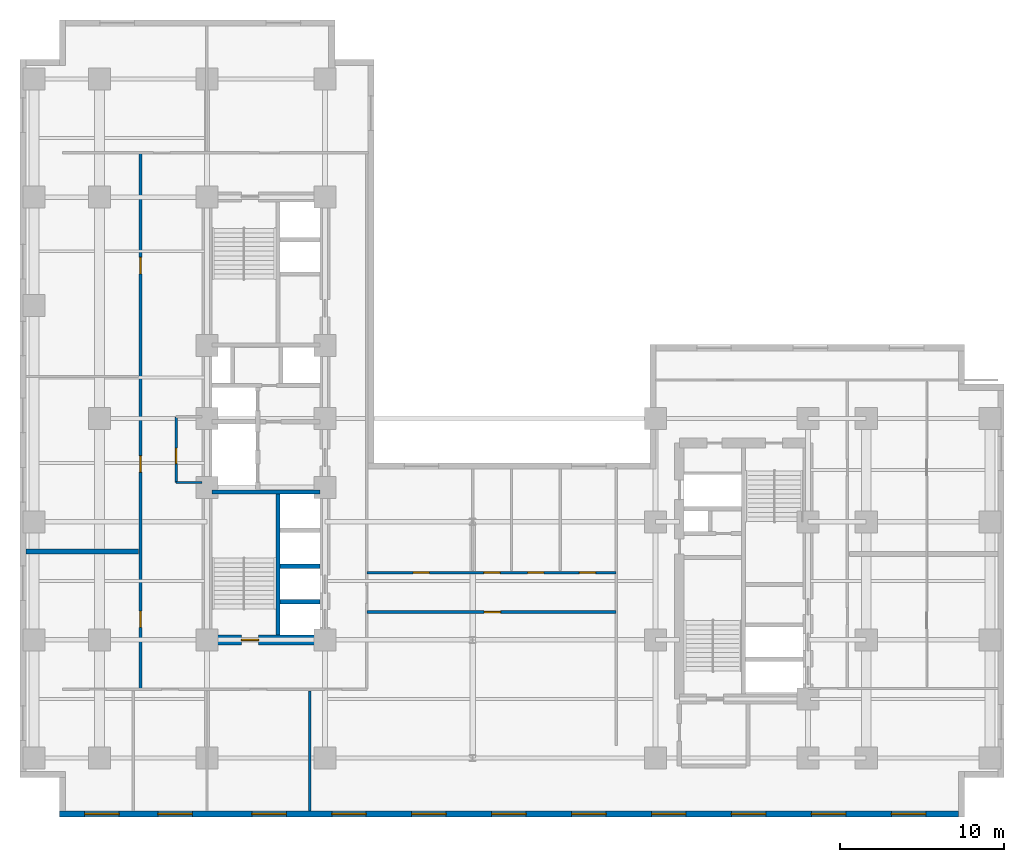
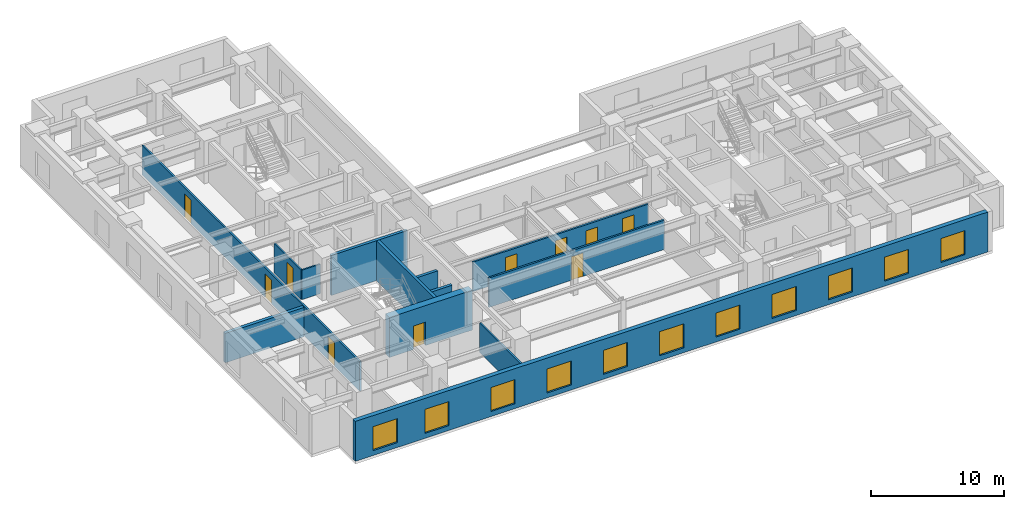
# One storey, part 3 of 9: 13 walls, 11 windows, 10 doors, 21 openings.
"""IFC4 building model written with IfcOpenShell, lengths in metres."""

import ifcopenshell
import ifcopenshell.guid

model = None  # the IFC model being written
_history = None  # IfcOwnerHistory: only IFC2X3 demands one
_inside = {}  # id of a spatial element -> (the spatial element, [elements in it])
_under = {}  # id of a project, library or spatial element -> (it, [spatial elements below it])
_declared = {}  # id of a project -> (the project, [libraries it declares])
_typed = {}  # id of a type object -> (the type object, [elements of that type])
_made_of = {}  # id of a material, layer set ... -> (it, [elements and type objects made of it])


def new_model(schema):
    """Start an empty IFC model of exactly this schema.

    Asked for "IFC4X3", IfcOpenShell would pick the latest addendum, in which some entities
    have other attributes; the version numbers below select the first issue.
    IFC2X3 requires an IfcOwnerHistory on every rooted entity: one is made here for all.
    """
    global model, _history
    if schema == "IFC4X3":
        model = ifcopenshell.file(schema_version=(4, 3, 0, 0))
    else:
        model = ifcopenshell.file(schema=schema)
    _inside.clear()
    _under.clear()
    _declared.clear()
    _typed.clear()
    _made_of.clear()
    _history = None
    if model.schema == "IFC2X3":
        org = make("IfcOrganization", Name="unknown")
        user = make(
            "IfcPersonAndOrganization",
            ThePerson=make("IfcPerson", FamilyName="unknown"),
            TheOrganization=org,
        )
        app = make(
            "IfcApplication",
            ApplicationDeveloper=org,
            Version="unknown",
            ApplicationFullName="unknown",
            ApplicationIdentifier="unknown",
        )
        _history = make(
            "IfcOwnerHistory",
            OwningUser=user,
            OwningApplication=app,
            ChangeAction="ADDED",
            CreationDate=0,
        )
    return model


def make(cls, **values):
    """One entity of the class cls with the attributes given. An attribute that is None is left unset."""
    return model.create_entity(
        cls, **{name: value for name, value in values.items() if value is not None}
    )


def entity(cls, *values):
    """Any entity or typed value of the class cls, its attributes in the order of the schema. None: left unset."""
    e = model.create_entity(cls)
    for i, value in enumerate(values):
        if value is not None:
            e[i] = value
    return e


def rooted(cls, **values):
    """An entity with a GlobalId (a new one), such as an element, a storey or a relation."""
    return make(cls, GlobalId=ifcopenshell.guid.new(), OwnerHistory=_history, **values)


def si_unit(unit_type, name, prefix=None):
    """IfcSIUnit, for example si_unit("LENGTHUNIT", "METRE", prefix="MILLI")."""
    return make("IfcSIUnit", UnitType=unit_type, Prefix=prefix, Name=name)


def converted_unit(unit_type, name, factor, base, dimensions=None, offset=None):
    """IfcConversionBasedUnit, such as the inch: factor (a typed value) times the base unit."""
    return make(
        "IfcConversionBasedUnit"
        if offset is None
        else "IfcConversionBasedUnitWithOffset",
        ConversionOffset=offset,
        Dimensions=None
        if dimensions is None
        else entity("IfcDimensionalExponents", *dimensions),
        UnitType=unit_type,
        Name=name,
        ConversionFactor=make(
            "IfcMeasureWithUnit", ValueComponent=factor, UnitComponent=base
        ),
    )


def assignment(units):
    """IfcUnitAssignment: the units of a project."""
    return None if units is None else make("IfcUnitAssignment", Units=units)


def point(xyz):
    """IfcCartesianPoint."""
    return None if xyz is None else make("IfcCartesianPoint", Coordinates=xyz)


def direction(xyz):
    """IfcDirection."""
    return None if xyz is None else make("IfcDirection", DirectionRatios=xyz)


def frame(location, z_axis=None, x_axis=None):
    """IfcAxis2Placement3D, a coordinate frame: its origin and axes. An axis left out is left unset."""
    return make(
        "IfcAxis2Placement3D",
        Location=point(location),
        Axis=direction(z_axis),
        RefDirection=direction(x_axis),
    )


def frame_2d(location, x_axis=None):
    """IfcAxis2Placement2D, a coordinate frame in the plane: its origin and x axis."""
    return make(
        "IfcAxis2Placement2D", Location=point(location), RefDirection=direction(x_axis)
    )


def origin_with_axes():
    """The frame at (0, 0, 0) with the z axis (0, 0, 1) and the x axis (1, 0, 0) written out."""
    return frame((0.0, 0.0, 0.0), z_axis=(0.0, 0.0, 1.0), x_axis=(1.0, 0.0, 0.0))


def origin_2d_with_axis():
    """The frame at (0, 0) in the plane with the x axis (1, 0) written out."""
    return frame_2d((0.0, 0.0), x_axis=(1.0, 0.0))


def place(relative_to, where):
    """IfcLocalPlacement: puts the frame where relative to a parent placement (None: the world)."""
    return make(
        "IfcLocalPlacement", PlacementRelTo=relative_to, RelativePlacement=where
    )


def context(
    kind, dimensions, precision=None, world=None, true_north=None, identifier=None
):
    """IfcGeometricRepresentationContext, for example the 3D "Model" context."""
    return make(
        "IfcGeometricRepresentationContext",
        ContextIdentifier=identifier,
        ContextType=kind,
        CoordinateSpaceDimension=dimensions,
        Precision=precision,
        WorldCoordinateSystem=world,
        TrueNorth=true_north,
    )


def subcontext(parent, identifier, kind, view, scale=None):
    """IfcGeometricRepresentationSubContext, for example "Body" below "Model"."""
    return make(
        "IfcGeometricRepresentationSubContext",
        ContextIdentifier=identifier,
        ContextType=kind,
        ParentContext=parent,
        TargetScale=scale,
        TargetView=view,
    )


def project(units=None, contexts=None):
    """IfcProject with its units and contexts."""
    return rooted(
        "IfcProject",
        Name="project",
        RepresentationContexts=contexts,
        UnitsInContext=assignment(units),
    )


def spatial(cls, under=None, at=None, **own):
    """A site, building, storey or space (cls), placed at a placement, below another one or the project."""
    s = rooted(cls, ObjectPlacement=at, **own)
    if under is not None:
        _under.setdefault(under.id(), (under, []))[1].append(s)
    return s


def polyline(points):
    """IfcPolyline through the points."""
    return make("IfcPolyline", Points=[point(p) for p in points])


def profile(cls, at=None, kind="AREA", **sizes):
    """A parametric profile (cls). Its sizes go by their IFC names, for example OverallWidth=200.0."""
    return make(cls, ProfileType=kind, Position=at, **sizes)


def rectangle(**sizes):
    """IfcRectangleProfileDef."""
    return profile("IfcRectangleProfileDef", **sizes)


def outline(outer, holes=None, kind="AREA"):
    """IfcArbitraryClosedProfileDef: a profile drawn as a closed curve; with holes, ...WithVoids."""
    if holes is None:
        return make("IfcArbitraryClosedProfileDef", ProfileType=kind, OuterCurve=outer)
    return make(
        "IfcArbitraryProfileDefWithVoids",
        ProfileType=kind,
        OuterCurve=outer,
        InnerCurves=holes,
    )


def extrude(swept, where, along, depth):
    """IfcExtrudedAreaSolid: the profile swept, set in the frame where, extruded along a direction by depth."""
    return make(
        "IfcExtrudedAreaSolid",
        SweptArea=swept,
        Position=where,
        ExtrudedDirection=direction(along),
        Depth=depth,
    )


def shape(context_of_items, identifier, shape_type, items):
    """IfcShapeRepresentation: the items that make up one representation, for example the "Body"."""
    return make(
        "IfcShapeRepresentation",
        ContextOfItems=context_of_items,
        RepresentationIdentifier=identifier,
        RepresentationType=shape_type,
        Items=items,
    )


def material(Name=None, Category=None):
    """IfcMaterial."""
    return make("IfcMaterial", Name=Name, Category=Category)


def layer(
    of_material, thickness, ventilated=None, Name=None, Category=None, Priority=None
):
    """IfcMaterialLayer: one layer of a wall or slab, of a material (None: an air gap)."""
    return make(
        "IfcMaterialLayer",
        Material=of_material,
        LayerThickness=thickness,
        IsVentilated=ventilated,
        Name=Name,
        Category=Category,
        Priority=Priority,
    )


def layer_set(layers, Name=None):
    """IfcMaterialLayerSet."""
    return make("IfcMaterialLayerSet", MaterialLayers=layers, LayerSetName=Name)


def made_of(thing, what):
    """Note that an element or type object is made of a material, layer set ...; save() writes the relation."""
    if what is not None:
        _made_of.setdefault(what.id(), (what, []))[1].append(thing)
    return thing


def type_object(cls, material=None, **own):
    """A type object (cls), such as IfcWallType, which elements share."""
    return made_of(rooted(cls, **own), material)


def element(
    cls,
    number,
    at=None,
    inside=None,
    cuts=None,
    type_object=None,
    material=None,
    context=None,
    identifier="Body",
    shape_type=None,
    held_by="IfcProductDefinitionShape",
    body=None,
    shapes=None,
    **own,
):
    """One element of the class cls, such as IfcWall. Its Tag is "e" and its number.

    at: its placement. inside: the storey or other place that contains it. cuts: it is an
    opening in that element (IfcRelVoidsElement). A single representation is given by context,
    identifier, shape_type and body (its items); several are given by shapes. held_by: the class
    of the entity that holds the representations. save() writes the other relations.
    """
    e = rooted(cls, Tag="e%d" % number, ObjectPlacement=at, **own)
    if body is not None:
        shapes = [shape(context, identifier, shape_type, body)]
    if shapes is not None:
        e.Representation = make(held_by, Representations=shapes)
    if inside is not None:
        _inside.setdefault(inside.id(), (inside, []))[1].append(e)
    if cuts is not None:
        rooted(
            "IfcRelVoidsElement", RelatingBuildingElement=cuts, RelatedOpeningElement=e
        )
    if type_object is not None:
        _typed.setdefault(type_object.id(), (type_object, []))[1].append(e)
    return made_of(e, material)


def fill(opening, filler):
    """IfcRelFillsElement: the door or window that sits in an opening."""
    return rooted(
        "IfcRelFillsElement",
        RelatingOpeningElement=opening,
        RelatedBuildingElement=filler,
    )


def aggregate(whole, parts):
    """IfcRelAggregates: a whole, such as a stair, and the parts it consists of."""
    return rooted("IfcRelAggregates", RelatingObject=whole, RelatedObjects=parts)


def save(model, path):
    """Write the relations noted so far, then the file.

    IfcRelAggregates (storeys below a building ...), IfcRelContainedInSpatialStructure (elements
    in a storey), IfcRelDefinesByType, IfcRelAssociatesMaterial and IfcRelDeclares: one each for
    every whole, place, type object, material and project.
    """
    for whole, parts in _under.values():
        aggregate(whole, parts)
    for where, things in _inside.values():
        rooted(
            "IfcRelContainedInSpatialStructure",
            RelatedElements=things,
            RelatingStructure=where,
        )
    for kind, things in _typed.values():
        rooted("IfcRelDefinesByType", RelatedObjects=things, RelatingType=kind)
    for what, things in _made_of.values():
        rooted("IfcRelAssociatesMaterial", RelatedObjects=things, RelatingMaterial=what)
    for by, libraries in _declared.values():
        rooted("IfcRelDeclares", RelatingContext=by, RelatedDefinitions=libraries)
    model.write(path)


model = new_model("IFC4")

# Units and contexts
model_context = context("Model", 3, precision=1e-05, world=origin_with_axes(), true_north=direction((0.0, 1.0)))
body_context = subcontext(model_context, "Body", "Model", "MODEL_VIEW")
ifc_project = project(units=[si_unit("LENGTHUNIT", "METRE"), si_unit("AREAUNIT", "SQUARE_METRE"), si_unit("VOLUMEUNIT", "CUBIC_METRE"), converted_unit("PLANEANGLEUNIT", "DEGREE", entity("IfcPlaneAngleMeasure", 0.017453292519943295), si_unit("PLANEANGLEUNIT", "RADIAN"), dimensions=[0, 0, 0, 0, 0, 0, 0]), si_unit("MASSUNIT", "GRAM", prefix="KILO"), si_unit("THERMODYNAMICTEMPERATUREUNIT", "KELVIN")], contexts=[model_context])

# Site, building, storey
site_placement = place(None, origin_with_axes())
site = spatial("IfcSite", under=ifc_project, at=site_placement, CompositionType="ELEMENT")
building_placement = place(site_placement, origin_with_axes())
building = spatial("IfcBuilding", under=site, at=building_placement, Name="Varnlund Millrace Tower", CompositionType="ELEMENT")
storey_placement = place(building_placement, frame((0.0, 0.0, 67.8), z_axis=(0.0, 0.0, 1.0), x_axis=(1.0, 0.0, 0.0)))
storey = spatial("IfcBuildingStorey", under=building, at=storey_placement, Name="L16", CompositionType="ELEMENT", Elevation=67.8)

# Wall, opening, door
ifc_material_1 = material(Name="Concrete C80/95", Category="concrete")
ifc_layer_1 = layer(ifc_material_1, 0.6, Name="Concrete C80/95")
ifc_layer_set_1 = layer_set([ifc_layer_1], Name="Concrete C80/95")
wall_type_1 = type_object("IfcWallType", Name="Type-CoreWall-Shear-600-C80", PredefinedType="SHEAR", material=ifc_layer_set_1)
wall_1_placement = place(storey_placement, frame((11.4, 10.8, 0.0), z_axis=(0.0, 0.0, 1.0), x_axis=(1.0, 0.0, 0.0)))
wall_1 = element("IfcWall", 1, at=wall_1_placement, inside=storey, type_object=wall_type_1, Name="Type-CoreWall-Shear-600-C80", PredefinedType="SHEAR", context=body_context, shape_type="SweptSolid", body=[
    extrude(outline(polyline([(0.0, -0.3), (7.2, -0.3), (7.2, 0.3), (0.0, 0.3), (0.0, -0.3)])), origin_with_axes(), (0.0, 0.0, 1.0), 3.66),
])
opening_1_placement = place(wall_1_placement, frame((2.625, 0.0, 0.0), z_axis=(0.0, 0.0, 1.0), x_axis=(1.0, 0.0, 0.0)))
opening_1 = element("IfcOpeningElement", 2, at=opening_1_placement, cuts=wall_1, Name="Opening L16:DR-STA1", PredefinedType="OPENING", context=body_context, shape_type="SweptSolid", body=[
    extrude(rectangle(XDim=1.05, YDim=0.62, at=origin_2d_with_axis()), origin_with_axes(), (0.0, 0.0, 1.0), 2.15),
])
ifc_material_2 = material(Name="Fire-rated hollow steel door", Category="steel")
door_type_1 = type_object("IfcDoorType", Name="Type-FireDoor-Stair-1050X2150", OperationType="NOTDEFINED", PredefinedType="DOOR", material=ifc_material_2)
door_1_placement = place(wall_1_placement, frame((2.625, 0.0, 0.0), z_axis=(0.0, 0.0, 1.0), x_axis=(1.0, 0.0, 0.0)))
door_1 = element("IfcDoor", 3, at=door_1_placement, inside=storey, type_object=door_type_1, Name="Type-FireDoor-Stair-1050X2150", OperationType="SINGLE_SWING_LEFT", OverallHeight=2.15, OverallWidth=1.05, PredefinedType="DOOR", context=body_context, shape_type="SweptSolid", body=[
    extrude(rectangle(XDim=1.05, YDim=0.09, at=origin_2d_with_axis()), origin_with_axes(), (0.0, 0.0, 1.0), 2.15),
])
fill(opening_1, door_1)

# Wall, openings, windows
ifc_material_3 = material(Name="Precast concrete C50/60", Category="concrete")
ifc_layer_2 = layer(ifc_material_3, 0.38, Name="Precast concrete C50/60")
ifc_layer_set_2 = layer_set([ifc_layer_2], Name="Precast concrete C50/60")
wall_type_2 = type_object("IfcWallType", Name="Type-ExtWall-Precast-Tube-380", PredefinedType="SOLIDWALL", material=ifc_layer_set_2)
wall_2_placement = place(storey_placement, frame((57.22, 0.19, 0.0), z_axis=(0.0, 0.0, 1.0), x_axis=(-1.0, 0.0, 0.0)))
wall_2 = element("IfcWall", 4, at=wall_2_placement, inside=storey, type_object=wall_type_2, Name="Type-ExtWall-Precast-Tube-380", PredefinedType="SOLIDWALL", context=body_context, shape_type="SweptSolid", body=[
    extrude(outline(polyline([(0.0, -0.19), (54.82, -0.19), (54.82, 0.19), (0.0, 0.19), (0.0, -0.19)])), origin_with_axes(), (0.0, 0.0, 1.0), 3.66),
])
opening_2_placement = place(wall_2_placement, frame((3.037, 0.0, 0.45), z_axis=(0.0, 0.0, 1.0), x_axis=(1.0, 0.0, 0.0)))
opening_2 = element("IfcOpeningElement", 5, at=opening_2_placement, cuts=wall_2, Name="Opening L16:WN-06", PredefinedType="OPENING", context=body_context, shape_type="SweptSolid", body=[
    extrude(rectangle(XDim=2.1, YDim=0.4, at=origin_2d_with_axis()), origin_with_axes(), (0.0, 0.0, 1.0), 2.2),
])
opening_3_placement = place(wall_2_placement, frame((7.912, 0.0, 0.45), z_axis=(0.0, 0.0, 1.0), x_axis=(1.0, 0.0, 0.0)))
opening_3 = element("IfcOpeningElement", 6, at=opening_3_placement, cuts=wall_2, Name="Opening L16:WN-07", PredefinedType="OPENING", context=body_context, shape_type="SweptSolid", body=[
    extrude(rectangle(XDim=2.1, YDim=0.4, at=origin_2d_with_axis()), origin_with_axes(), (0.0, 0.0, 1.0), 2.2),
])
opening_4_placement = place(wall_2_placement, frame((12.786, 0.0, 0.45), z_axis=(0.0, 0.0, 1.0), x_axis=(1.0, 0.0, 0.0)))
opening_4 = element("IfcOpeningElement", 7, at=opening_4_placement, cuts=wall_2, Name="Opening L16:WN-08", PredefinedType="OPENING", context=body_context, shape_type="SweptSolid", body=[
    extrude(rectangle(XDim=2.1, YDim=0.4, at=origin_2d_with_axis()), origin_with_axes(), (0.0, 0.0, 1.0), 2.2),
])
opening_5_placement = place(wall_2_placement, frame((17.661, 0.0, 0.45), z_axis=(0.0, 0.0, 1.0), x_axis=(1.0, 0.0, 0.0)))
opening_5 = element("IfcOpeningElement", 8, at=opening_5_placement, cuts=wall_2, Name="Opening L16:WN-09", PredefinedType="OPENING", context=body_context, shape_type="SweptSolid", body=[
    extrude(rectangle(XDim=2.1, YDim=0.4, at=origin_2d_with_axis()), origin_with_axes(), (0.0, 0.0, 1.0), 2.2),
])
opening_6_placement = place(wall_2_placement, frame((22.535, 0.0, 0.45), z_axis=(0.0, 0.0, 1.0), x_axis=(1.0, 0.0, 0.0)))
opening_6 = element("IfcOpeningElement", 9, at=opening_6_placement, cuts=wall_2, Name="Opening L16:WN-10", PredefinedType="OPENING", context=body_context, shape_type="SweptSolid", body=[
    extrude(rectangle(XDim=2.1, YDim=0.4, at=origin_2d_with_axis()), origin_with_axes(), (0.0, 0.0, 1.0), 2.2),
])
opening_7_placement = place(wall_2_placement, frame((27.41, 0.0, 0.45), z_axis=(0.0, 0.0, 1.0), x_axis=(1.0, 0.0, 0.0)))
opening_7 = element("IfcOpeningElement", 10, at=opening_7_placement, cuts=wall_2, Name="Opening L16:WN-11", PredefinedType="OPENING", context=body_context, shape_type="SweptSolid", body=[
    extrude(rectangle(XDim=2.1, YDim=0.4, at=origin_2d_with_axis()), origin_with_axes(), (0.0, 0.0, 1.0), 2.2),
])
opening_8_placement = place(wall_2_placement, frame((32.285, 0.0, 0.45), z_axis=(0.0, 0.0, 1.0), x_axis=(1.0, 0.0, 0.0)))
opening_8 = element("IfcOpeningElement", 11, at=opening_8_placement, cuts=wall_2, Name="Opening L16:WN-12", PredefinedType="OPENING", context=body_context, shape_type="SweptSolid", body=[
    extrude(rectangle(XDim=2.1, YDim=0.4, at=origin_2d_with_axis()), origin_with_axes(), (0.0, 0.0, 1.0), 2.2),
])
opening_9_placement = place(wall_2_placement, frame((37.159, 0.0, 0.45), z_axis=(0.0, 0.0, 1.0), x_axis=(1.0, 0.0, 0.0)))
opening_9 = element("IfcOpeningElement", 12, at=opening_9_placement, cuts=wall_2, Name="Opening L16:WN-13", PredefinedType="OPENING", context=body_context, shape_type="SweptSolid", body=[
    extrude(rectangle(XDim=2.1, YDim=0.4, at=origin_2d_with_axis()), origin_with_axes(), (0.0, 0.0, 1.0), 2.2),
])
opening_10_placement = place(wall_2_placement, frame((42.034, 0.0, 0.45), z_axis=(0.0, 0.0, 1.0), x_axis=(1.0, 0.0, 0.0)))
opening_10 = element("IfcOpeningElement", 13, at=opening_10_placement, cuts=wall_2, Name="Opening L16:WN-14", PredefinedType="OPENING", context=body_context, shape_type="SweptSolid", body=[
    extrude(rectangle(XDim=2.1, YDim=0.4, at=origin_2d_with_axis()), origin_with_axes(), (0.0, 0.0, 1.0), 2.2),
])
opening_11_placement = place(wall_2_placement, frame((47.758, 0.0, 0.45), z_axis=(0.0, 0.0, 1.0), x_axis=(1.0, 0.0, 0.0)))
opening_11 = element("IfcOpeningElement", 14, at=opening_11_placement, cuts=wall_2, Name="Opening L16:WN-15", PredefinedType="OPENING", context=body_context, shape_type="SweptSolid", body=[
    extrude(rectangle(XDim=2.1, YDim=0.4, at=origin_2d_with_axis()), origin_with_axes(), (0.0, 0.0, 1.0), 2.2),
])
opening_12_placement = place(wall_2_placement, frame((52.233, 0.0, 0.45), z_axis=(0.0, 0.0, 1.0), x_axis=(1.0, 0.0, 0.0)))
opening_12 = element("IfcOpeningElement", 15, at=opening_12_placement, cuts=wall_2, Name="Opening L16:WN-16", PredefinedType="OPENING", context=body_context, shape_type="SweptSolid", body=[
    extrude(rectangle(XDim=2.1, YDim=0.4, at=origin_2d_with_axis()), origin_with_axes(), (0.0, 0.0, 1.0), 2.2),
])
ifc_material_4 = material(Name="Argon low-e triple glazing in thermally broken bronze frame", Category="glass")
window_type = type_object("IfcWindowType", Name="Type-Window-Punched-2100X2200", PartitioningType="SINGLE_PANEL", PredefinedType="WINDOW", material=ifc_material_4)
window_1_placement = place(wall_2_placement, frame((3.037, 0.0, 0.45), z_axis=(0.0, 0.0, 1.0), x_axis=(1.0, 0.0, 0.0)))
window_1 = element("IfcWindow", 16, at=window_1_placement, inside=storey, type_object=window_type, Name="Type-Window-Punched-2100X2200", OverallHeight=2.2, OverallWidth=2.1, PredefinedType="WINDOW", context=body_context, shape_type="SweptSolid", body=[
    extrude(rectangle(XDim=2.1, YDim=0.09, at=origin_2d_with_axis()), origin_with_axes(), (0.0, 0.0, 1.0), 2.2),
])
fill(opening_2, window_1)
window_2_placement = place(wall_2_placement, frame((7.912, 0.0, 0.45), z_axis=(0.0, 0.0, 1.0), x_axis=(1.0, 0.0, 0.0)))
window_2 = element("IfcWindow", 17, at=window_2_placement, inside=storey, type_object=window_type, Name="Type-Window-Punched-2100X2200", OverallHeight=2.2, OverallWidth=2.1, PredefinedType="WINDOW", context=body_context, shape_type="SweptSolid", body=[
    extrude(rectangle(XDim=2.1, YDim=0.09, at=origin_2d_with_axis()), origin_with_axes(), (0.0, 0.0, 1.0), 2.2),
])
fill(opening_3, window_2)
window_3_placement = place(wall_2_placement, frame((12.786, 0.0, 0.45), z_axis=(0.0, 0.0, 1.0), x_axis=(1.0, 0.0, 0.0)))
window_3 = element("IfcWindow", 18, at=window_3_placement, inside=storey, type_object=window_type, Name="Type-Window-Punched-2100X2200", OverallHeight=2.2, OverallWidth=2.1, PredefinedType="WINDOW", context=body_context, shape_type="SweptSolid", body=[
    extrude(rectangle(XDim=2.1, YDim=0.09, at=origin_2d_with_axis()), origin_with_axes(), (0.0, 0.0, 1.0), 2.2),
])
fill(opening_4, window_3)
window_4_placement = place(wall_2_placement, frame((17.661, 0.0, 0.45), z_axis=(0.0, 0.0, 1.0), x_axis=(1.0, 0.0, 0.0)))
window_4 = element("IfcWindow", 19, at=window_4_placement, inside=storey, type_object=window_type, Name="Type-Window-Punched-2100X2200", OverallHeight=2.2, OverallWidth=2.1, PredefinedType="WINDOW", context=body_context, shape_type="SweptSolid", body=[
    extrude(rectangle(XDim=2.1, YDim=0.09, at=origin_2d_with_axis()), origin_with_axes(), (0.0, 0.0, 1.0), 2.2),
])
fill(opening_5, window_4)
window_5_placement = place(wall_2_placement, frame((22.535, 0.0, 0.45), z_axis=(0.0, 0.0, 1.0), x_axis=(1.0, 0.0, 0.0)))
window_5 = element("IfcWindow", 20, at=window_5_placement, inside=storey, type_object=window_type, Name="Type-Window-Punched-2100X2200", OverallHeight=2.2, OverallWidth=2.1, PredefinedType="WINDOW", context=body_context, shape_type="SweptSolid", body=[
    extrude(rectangle(XDim=2.1, YDim=0.09, at=origin_2d_with_axis()), origin_with_axes(), (0.0, 0.0, 1.0), 2.2),
])
fill(opening_6, window_5)
window_6_placement = place(wall_2_placement, frame((27.41, 0.0, 0.45), z_axis=(0.0, 0.0, 1.0), x_axis=(1.0, 0.0, 0.0)))
window_6 = element("IfcWindow", 21, at=window_6_placement, inside=storey, type_object=window_type, Name="Type-Window-Punched-2100X2200", OverallHeight=2.2, OverallWidth=2.1, PredefinedType="WINDOW", context=body_context, shape_type="SweptSolid", body=[
    extrude(rectangle(XDim=2.1, YDim=0.09, at=origin_2d_with_axis()), origin_with_axes(), (0.0, 0.0, 1.0), 2.2),
])
fill(opening_7, window_6)
window_7_placement = place(wall_2_placement, frame((32.285, 0.0, 0.45), z_axis=(0.0, 0.0, 1.0), x_axis=(1.0, 0.0, 0.0)))
window_7 = element("IfcWindow", 22, at=window_7_placement, inside=storey, type_object=window_type, Name="Type-Window-Punched-2100X2200", OverallHeight=2.2, OverallWidth=2.1, PredefinedType="WINDOW", context=body_context, shape_type="SweptSolid", body=[
    extrude(rectangle(XDim=2.1, YDim=0.09, at=origin_2d_with_axis()), origin_with_axes(), (0.0, 0.0, 1.0), 2.2),
])
fill(opening_8, window_7)
window_8_placement = place(wall_2_placement, frame((37.159, 0.0, 0.45), z_axis=(0.0, 0.0, 1.0), x_axis=(1.0, 0.0, 0.0)))
window_8 = element("IfcWindow", 23, at=window_8_placement, inside=storey, type_object=window_type, Name="Type-Window-Punched-2100X2200", OverallHeight=2.2, OverallWidth=2.1, PredefinedType="WINDOW", context=body_context, shape_type="SweptSolid", body=[
    extrude(rectangle(XDim=2.1, YDim=0.09, at=origin_2d_with_axis()), origin_with_axes(), (0.0, 0.0, 1.0), 2.2),
])
fill(opening_9, window_8)
window_9_placement = place(wall_2_placement, frame((42.034, 0.0, 0.45), z_axis=(0.0, 0.0, 1.0), x_axis=(1.0, 0.0, 0.0)))
window_9 = element("IfcWindow", 24, at=window_9_placement, inside=storey, type_object=window_type, Name="Type-Window-Punched-2100X2200", OverallHeight=2.2, OverallWidth=2.1, PredefinedType="WINDOW", context=body_context, shape_type="SweptSolid", body=[
    extrude(rectangle(XDim=2.1, YDim=0.09, at=origin_2d_with_axis()), origin_with_axes(), (0.0, 0.0, 1.0), 2.2),
])
fill(opening_10, window_9)
window_10_placement = place(wall_2_placement, frame((47.758, 0.0, 0.45), z_axis=(0.0, 0.0, 1.0), x_axis=(1.0, 0.0, 0.0)))
window_10 = element("IfcWindow", 25, at=window_10_placement, inside=storey, type_object=window_type, Name="Type-Window-Punched-2100X2200", OverallHeight=2.2, OverallWidth=2.1, PredefinedType="WINDOW", context=body_context, shape_type="SweptSolid", body=[
    extrude(rectangle(XDim=2.1, YDim=0.09, at=origin_2d_with_axis()), origin_with_axes(), (0.0, 0.0, 1.0), 2.2),
])
fill(opening_11, window_10)
window_11_placement = place(wall_2_placement, frame((52.233, 0.0, 0.45), z_axis=(0.0, 0.0, 1.0), x_axis=(1.0, 0.0, 0.0)))
window_11 = element("IfcWindow", 26, at=window_11_placement, inside=storey, type_object=window_type, Name="Type-Window-Punched-2100X2200", OverallHeight=2.2, OverallWidth=2.1, PredefinedType="WINDOW", context=body_context, shape_type="SweptSolid", body=[
    extrude(rectangle(XDim=2.1, YDim=0.09, at=origin_2d_with_axis()), origin_with_axes(), (0.0, 0.0, 1.0), 2.2),
])
fill(opening_12, window_11)

# Wall
ifc_material_5 = material(Name="Double-stud STC-60 conference acoustic partition", Category="gypsum")
ifc_layer_3 = layer(ifc_material_5, 0.28, Name="Double-stud STC-60 conference acoustic partition")
ifc_layer_set_3 = layer_set([ifc_layer_3], Name="Double-stud STC-60 conference acoustic partition")
wall_type_3 = type_object("IfcWallType", Name="Type-Partition-Acoustic-280", PredefinedType="PARTITIONING", material=ifc_layer_set_3)
wall_3_placement = place(storey_placement, frame((0.375, 16.191, 0.0), z_axis=(0.0, 0.0, 1.0), x_axis=(1.0, 0.0, 0.0)))
element("IfcWall", 27, at=wall_3_placement, inside=storey, type_object=wall_type_3, Name="Type-Partition-Acoustic-280", PredefinedType="PARTITIONING", context=body_context, shape_type="SweptSolid", body=[
    extrude(outline(polyline([(0.0, -0.14), (6.855, -0.14), (6.855, 0.14), (0.0, 0.14), (0.0, -0.14)])), origin_with_axes(), (0.0, 0.0, 1.0), 2.7),
])

# Wall, openings, doors
ifc_material_6 = material(Name="Fire-rated gypsum board on cold-formed steel framing", Category="steel")
ifc_layer_4 = layer(ifc_material_6, 0.16, Name="Fire-rated gypsum board on cold-formed steel framing")
ifc_layer_set_4 = layer_set([ifc_layer_4], Name="Fire-rated gypsum board on cold-formed steel framing")
wall_type_4 = type_object("IfcWallType", Name="Type-Partition-Corridor-160", PredefinedType="PARTITIONING", material=ifc_layer_set_4)
wall_4_placement = place(storey_placement, frame((7.35, 7.8, 0.0), z_axis=(0.0, 0.0, 1.0), x_axis=(0.0, 1.0, 0.0)))
wall_4 = element("IfcWall", 28, at=wall_4_placement, inside=storey, type_object=wall_type_4, Name="Type-Partition-Corridor-160", PredefinedType="PARTITIONING", context=body_context, shape_type="SweptSolid", body=[
    extrude(outline(polyline([(0.0, -0.08), (32.7, -0.08), (32.7, 0.08), (0.0, 0.08), (0.0, -0.08)])), origin_with_axes(), (0.0, 0.0, 1.0), 2.7),
])
opening_13_placement = place(wall_4_placement, frame((4.2605, 0.0, 0.0), z_axis=(0.0, 0.0, 1.0), x_axis=(1.0, 0.0, 0.0)))
opening_13 = element("IfcOpeningElement", 29, at=opening_13_placement, cuts=wall_4, Name="Opening L16:DR-W-01", PredefinedType="OPENING", context=body_context, shape_type="SweptSolid", body=[
    extrude(rectangle(XDim=1.0, YDim=0.18, at=origin_2d_with_axis()), origin_with_axes(), (0.0, 0.0, 1.0), 2.15),
])
opening_14_placement = place(wall_4_placement, frame((13.729, 0.0, 0.0), z_axis=(0.0, 0.0, 1.0), x_axis=(1.0, 0.0, 0.0)))
opening_14 = element("IfcOpeningElement", 30, at=opening_14_placement, cuts=wall_4, Name="Opening L16:DR-W-02", PredefinedType="OPENING", context=body_context, shape_type="SweptSolid", body=[
    extrude(rectangle(XDim=1.0, YDim=0.18, at=origin_2d_with_axis()), origin_with_axes(), (0.0, 0.0, 1.0), 2.15),
])
opening_15_placement = place(wall_4_placement, frame((25.8185, 0.0, 0.0), z_axis=(0.0, 0.0, 1.0), x_axis=(1.0, 0.0, 0.0)))
opening_15 = element("IfcOpeningElement", 31, at=opening_15_placement, cuts=wall_4, Name="Opening L16:DR-W-03", PredefinedType="OPENING", context=body_context, shape_type="SweptSolid", body=[
    extrude(rectangle(XDim=1.0, YDim=0.18, at=origin_2d_with_axis()), origin_with_axes(), (0.0, 0.0, 1.0), 2.15),
])
ifc_material_7 = material(Name="Solid-core white oak and bronze frame door")
door_type_2 = type_object("IfcDoorType", Name="Type-IntDoor-Office-1000X2150", OperationType="NOTDEFINED", PredefinedType="DOOR", material=ifc_material_7)
door_2_placement = place(wall_4_placement, frame((4.2605, 0.0, 0.0), z_axis=(0.0, 0.0, 1.0), x_axis=(1.0, 0.0, 0.0)))
door_2 = element("IfcDoor", 32, at=door_2_placement, inside=storey, type_object=door_type_2, Name="Type-IntDoor-Office-1000X2150", OperationType="SINGLE_SWING_LEFT", OverallHeight=2.15, OverallWidth=1.0, PredefinedType="DOOR", context=body_context, shape_type="SweptSolid", body=[
    extrude(rectangle(XDim=1.0, YDim=0.09, at=origin_2d_with_axis()), origin_with_axes(), (0.0, 0.0, 1.0), 2.15),
])
fill(opening_13, door_2)
door_3_placement = place(wall_4_placement, frame((13.729, 0.0, 0.0), z_axis=(0.0, 0.0, 1.0), x_axis=(1.0, 0.0, 0.0)))
door_3 = element("IfcDoor", 33, at=door_3_placement, inside=storey, type_object=door_type_2, Name="Type-IntDoor-Office-1000X2150", OperationType="SINGLE_SWING_RIGHT", OverallHeight=2.15, OverallWidth=1.0, PredefinedType="DOOR", context=body_context, shape_type="SweptSolid", body=[
    extrude(rectangle(XDim=1.0, YDim=0.09, at=origin_2d_with_axis()), origin_with_axes(), (0.0, 0.0, 1.0), 2.15),
])
fill(opening_14, door_3)
door_4_placement = place(wall_4_placement, frame((25.8185, 0.0, 0.0), z_axis=(0.0, 0.0, 1.0), x_axis=(1.0, 0.0, 0.0)))
door_4 = element("IfcDoor", 34, at=door_4_placement, inside=storey, type_object=door_type_2, Name="Type-IntDoor-Office-1000X2150", OperationType="SINGLE_SWING_LEFT", OverallHeight=2.15, OverallWidth=1.0, PredefinedType="DOOR", context=body_context, shape_type="SweptSolid", body=[
    extrude(rectangle(XDim=1.0, YDim=0.09, at=origin_2d_with_axis()), origin_with_axes(), (0.0, 0.0, 1.0), 2.15),
])
fill(opening_15, door_4)

# Wall, opening, door
wall_5_placement = place(storey_placement, frame((21.15, 12.5, 0.0), z_axis=(0.0, 0.0, 1.0), x_axis=(1.0, 0.0, 0.0)))
wall_5 = element("IfcWall", 35, at=wall_5_placement, inside=storey, type_object=wall_type_4, Name="Type-Partition-Corridor-160", PredefinedType="PARTITIONING", context=body_context, shape_type="SweptSolid", body=[
    extrude(outline(polyline([(0.0, -0.08), (15.2, -0.08), (15.2, 0.08), (0.0, 0.08), (0.0, -0.08)])), origin_with_axes(), (0.0, 0.0, 1.0), 2.7),
])
opening_16_placement = place(wall_5_placement, frame((7.65, 0.0, 0.0), z_axis=(0.0, 0.0, 1.0), x_axis=(1.0, 0.0, 0.0)))
opening_16 = element("IfcOpeningElement", 36, at=opening_16_placement, cuts=wall_5, Name="Opening L16:DR-KNS-01", PredefinedType="OPENING", context=body_context, shape_type="SweptSolid", body=[
    extrude(rectangle(XDim=1.0, YDim=0.18, at=origin_2d_with_axis()), origin_with_axes(), (0.0, 0.0, 1.0), 2.15),
])
door_5_placement = place(wall_5_placement, frame((7.65, 0.0, 0.0), z_axis=(0.0, 0.0, 1.0), x_axis=(1.0, 0.0, 0.0)))
door_5 = element("IfcDoor", 37, at=door_5_placement, inside=storey, type_object=door_type_2, Name="Type-IntDoor-Office-1000X2150", OperationType="SINGLE_SWING_LEFT", OverallHeight=2.15, OverallWidth=1.0, PredefinedType="DOOR", context=body_context, shape_type="SweptSolid", body=[
    extrude(rectangle(XDim=1.0, YDim=0.09, at=origin_2d_with_axis()), origin_with_axes(), (0.0, 0.0, 1.0), 2.15),
])
fill(opening_16, door_5)

# Wall, openings, doors
wall_6_placement = place(storey_placement, frame((21.15, 14.9, 0.0), z_axis=(0.0, 0.0, 1.0), x_axis=(1.0, 0.0, 0.0)))
wall_6 = element("IfcWall", 38, at=wall_6_placement, inside=storey, type_object=wall_type_4, Name="Type-Partition-Corridor-160", PredefinedType="PARTITIONING", context=body_context, shape_type="SweptSolid", body=[
    extrude(outline(polyline([(0.0, -0.08), (15.2, -0.08), (15.2, 0.08), (0.0, 0.08), (0.0, -0.08)])), origin_with_axes(), (0.0, 0.0, 1.0), 2.7),
])
opening_17_placement = place(wall_6_placement, frame((3.315, 0.0, 0.0), z_axis=(0.0, 0.0, 1.0), x_axis=(1.0, 0.0, 0.0)))
opening_17 = element("IfcOpeningElement", 39, at=opening_17_placement, cuts=wall_6, Name="Opening L16:DR-KN-01", PredefinedType="OPENING", context=body_context, shape_type="SweptSolid", body=[
    extrude(rectangle(XDim=1.0, YDim=0.18, at=origin_2d_with_axis()), origin_with_axes(), (0.0, 0.0, 1.0), 2.15),
])
opening_18_placement = place(wall_6_placement, frame((7.632, 0.0, 0.0), z_axis=(0.0, 0.0, 1.0), x_axis=(1.0, 0.0, 0.0)))
opening_18 = element("IfcOpeningElement", 40, at=opening_18_placement, cuts=wall_6, Name="Opening L16:DR-KN-02", PredefinedType="OPENING", context=body_context, shape_type="SweptSolid", body=[
    extrude(rectangle(XDim=1.0, YDim=0.18, at=origin_2d_with_axis()), origin_with_axes(), (0.0, 0.0, 1.0), 2.15),
])
opening_19_placement = place(wall_6_placement, frame((10.2995, 0.0, 0.0), z_axis=(0.0, 0.0, 1.0), x_axis=(1.0, 0.0, 0.0)))
opening_19 = element("IfcOpeningElement", 41, at=opening_19_placement, cuts=wall_6, Name="Opening L16:DR-KN-03", PredefinedType="OPENING", context=body_context, shape_type="SweptSolid", body=[
    extrude(rectangle(XDim=1.0, YDim=0.18, at=origin_2d_with_axis()), origin_with_axes(), (0.0, 0.0, 1.0), 2.15),
])
opening_20_placement = place(wall_6_placement, frame((13.4525, 0.0, 0.0), z_axis=(0.0, 0.0, 1.0), x_axis=(1.0, 0.0, 0.0)))
opening_20 = element("IfcOpeningElement", 42, at=opening_20_placement, cuts=wall_6, Name="Opening L16:DR-KN-04", PredefinedType="OPENING", context=body_context, shape_type="SweptSolid", body=[
    extrude(rectangle(XDim=1.0, YDim=0.18, at=origin_2d_with_axis()), origin_with_axes(), (0.0, 0.0, 1.0), 2.15),
])
door_6_placement = place(wall_6_placement, frame((3.315, 0.0, 0.0), z_axis=(0.0, 0.0, 1.0), x_axis=(1.0, 0.0, 0.0)))
door_6 = element("IfcDoor", 43, at=door_6_placement, inside=storey, type_object=door_type_2, Name="Type-IntDoor-Office-1000X2150", OperationType="SINGLE_SWING_LEFT", OverallHeight=2.15, OverallWidth=1.0, PredefinedType="DOOR", context=body_context, shape_type="SweptSolid", body=[
    extrude(rectangle(XDim=1.0, YDim=0.09, at=origin_2d_with_axis()), origin_with_axes(), (0.0, 0.0, 1.0), 2.15),
])
fill(opening_17, door_6)
door_7_placement = place(wall_6_placement, frame((7.632, 0.0, 0.0), z_axis=(0.0, 0.0, 1.0), x_axis=(1.0, 0.0, 0.0)))
door_7 = element("IfcDoor", 44, at=door_7_placement, inside=storey, type_object=door_type_2, Name="Type-IntDoor-Office-1000X2150", OperationType="SINGLE_SWING_RIGHT", OverallHeight=2.15, OverallWidth=1.0, PredefinedType="DOOR", context=body_context, shape_type="SweptSolid", body=[
    extrude(rectangle(XDim=1.0, YDim=0.09, at=origin_2d_with_axis()), origin_with_axes(), (0.0, 0.0, 1.0), 2.15),
])
fill(opening_18, door_7)
door_8_placement = place(wall_6_placement, frame((10.2995, 0.0, 0.0), z_axis=(0.0, 0.0, 1.0), x_axis=(1.0, 0.0, 0.0)))
door_8 = element("IfcDoor", 45, at=door_8_placement, inside=storey, type_object=door_type_2, Name="Type-IntDoor-Office-1000X2150", OperationType="SINGLE_SWING_LEFT", OverallHeight=2.15, OverallWidth=1.0, PredefinedType="DOOR", context=body_context, shape_type="SweptSolid", body=[
    extrude(rectangle(XDim=1.0, YDim=0.09, at=origin_2d_with_axis()), origin_with_axes(), (0.0, 0.0, 1.0), 2.15),
])
fill(opening_19, door_8)
door_9_placement = place(wall_6_placement, frame((13.4525, 0.0, 0.0), z_axis=(0.0, 0.0, 1.0), x_axis=(1.0, 0.0, 0.0)))
door_9 = element("IfcDoor", 46, at=door_9_placement, inside=storey, type_object=door_type_2, Name="Type-IntDoor-Office-1000X2150", OperationType="SINGLE_SWING_RIGHT", OverallHeight=2.15, OverallWidth=1.0, PredefinedType="DOOR", context=body_context, shape_type="SweptSolid", body=[
    extrude(rectangle(XDim=1.0, YDim=0.09, at=origin_2d_with_axis()), origin_with_axes(), (0.0, 0.0, 1.0), 2.15),
])
fill(opening_20, door_9)

# Wall
ifc_material_8 = material(Name="Acoustic STC-50 gypsum board partition", Category="gypsum")
ifc_layer_5 = layer(ifc_material_8, 0.15, Name="Acoustic STC-50 gypsum board partition")
ifc_layer_set_5 = layer_set([ifc_layer_5], Name="Acoustic STC-50 gypsum board partition")
wall_type_5 = type_object("IfcWallType", Name="Type-Partition-Demising-150", PredefinedType="PARTITIONING", material=ifc_layer_set_5)
wall_7_placement = place(storey_placement, frame((17.674, 0.36, 0.0), z_axis=(0.0, 0.0, 1.0), x_axis=(0.0, 1.0, 0.0)))
element("IfcWall", 47, at=wall_7_placement, inside=storey, type_object=wall_type_5, Name="Type-Partition-Demising-150", PredefinedType="PARTITIONING", context=body_context, shape_type="SweptSolid", body=[
    extrude(outline(polyline([(0.0, -0.075), (7.34, -0.075), (7.34, 0.075), (0.0, 0.075), (0.0, -0.075)])), origin_with_axes(), (0.0, 0.0, 1.0), 2.7),
])

# Wall, opening, door
ifc_material_9 = material(Name="Moisture-resistant gypsum restroom partition", Category="gypsum")
ifc_layer_6 = layer(ifc_material_9, 0.14, Name="Moisture-resistant gypsum restroom partition")
ifc_layer_set_6 = layer_set([ifc_layer_6], Name="Moisture-resistant gypsum restroom partition")
wall_type_6 = type_object("IfcWallType", Name="Type-Partition-Wet-140", PredefinedType="PARTITIONING", material=ifc_layer_set_6)
wall_8_placement = place(storey_placement, frame((9.52, 20.4, 0.0), z_axis=(0.0, 0.0, 1.0), x_axis=(0.0, 1.0, 0.0)))
wall_8 = element("IfcWall", 48, at=wall_8_placement, inside=storey, type_object=wall_type_6, Name="Type-Partition-Wet-140", PredefinedType="PARTITIONING", context=body_context, shape_type="SweptSolid", body=[
    extrude(outline(polyline([(0.0, -0.07), (4.0, -0.07), (4.0, 0.07), (0.0, 0.07), (0.0, -0.07)])), origin_with_axes(), (0.0, 0.0, 1.0), 2.7),
])
opening_21_placement = place(wall_8_placement, frame((1.625, 0.0, 0.0), z_axis=(0.0, 0.0, 1.0), x_axis=(1.0, 0.0, 0.0)))
opening_21 = element("IfcOpeningElement", 49, at=opening_21_placement, cuts=wall_8, Name="Opening L16:DR-CA-WCW", PredefinedType="OPENING", context=body_context, shape_type="SweptSolid", body=[
    extrude(rectangle(XDim=0.95, YDim=0.16, at=origin_2d_with_axis()), origin_with_axes(), (0.0, 0.0, 1.0), 2.15),
])
ifc_material_10 = material(Name="Solid-core acoustic office door")
door_type_3 = type_object("IfcDoorType", Name="Type-IntDoor-Tenant-950X2150", OperationType="NOTDEFINED", PredefinedType="DOOR", material=ifc_material_10)
door_10_placement = place(wall_8_placement, frame((1.625, 0.0, 0.0), z_axis=(0.0, 0.0, 1.0), x_axis=(1.0, 0.0, 0.0)))
door_10 = element("IfcDoor", 50, at=door_10_placement, inside=storey, type_object=door_type_3, Name="Type-IntDoor-Tenant-950X2150", OperationType="SINGLE_SWING_LEFT", OverallHeight=2.15, OverallWidth=0.95, PredefinedType="DOOR", context=body_context, shape_type="SweptSolid", body=[
    extrude(rectangle(XDim=0.95, YDim=0.084, at=origin_2d_with_axis()), origin_with_axes(), (0.0, 0.0, 1.0), 2.15),
])
fill(opening_21, door_10)

# Walls
wall_9_placement = place(storey_placement, frame((9.52, 20.4, 0.0), z_axis=(0.0, 0.0, 1.0), x_axis=(1.0, 0.0, 0.0)))
element("IfcWall", 51, at=wall_9_placement, inside=storey, type_object=wall_type_6, Name="Type-Partition-Wet-140", PredefinedType="PARTITIONING", context=body_context, shape_type="SweptSolid", body=[
    extrude(outline(polyline([(0.0, -0.07), (1.58, -0.07), (1.58, 0.07), (0.0, 0.07), (0.0, -0.07)])), origin_with_axes(), (0.0, 0.0, 1.0), 2.7),
])
ifc_material_11 = material(Name="Concrete C60/75", Category="concrete")
ifc_layer_7 = layer(ifc_material_11, 0.25, Name="Concrete C60/75")
ifc_layer_set_7 = layer_set([ifc_layer_7], Name="Concrete C60/75")
wall_type_7 = type_object("IfcWallType", Name="Type-ShaftWall-Fire-250", PredefinedType="SOLIDWALL", material=ifc_layer_set_7)
for number, where, z_axis, x_axis, name in (
    (52, (15.84, 13.13, 0.0), (0.0, 0.0, 1.0), (1.0, 0.0, 0.0), "Type-ShaftWall-Fire-250"),
    (53, (15.84, 15.29, 0.0), (0.0, 0.0, 1.0), (1.0, 0.0, 0.0), "Type-ShaftWall-Fire-250"),
):
    element("IfcWall", number, at=place(storey_placement, frame(where, z_axis=z_axis, x_axis=x_axis)), inside=storey, type_object=wall_type_7, Name=name, PredefinedType="SOLIDWALL", context=body_context, shape_type="SweptSolid", body=[
        extrude(outline(polyline([(0.0, -0.125), (2.46, -0.125), (2.46, 0.125), (0.0, 0.125), (0.0, -0.125)])), origin_with_axes(), (0.0, 0.0, 1.0), 2.7),
    ])
wall_type_8 = type_object("IfcWallType", Name="Type-StairWall-Shear-250", PredefinedType="SHEAR", material=ifc_layer_set_7)
wall_10_placement = place(storey_placement, frame((15.725, 11.1, 0.0), z_axis=(0.0, 0.0, 1.0), x_axis=(0.0, 1.0, 0.0)))
element("IfcWall", 54, at=wall_10_placement, inside=storey, type_object=wall_type_8, Name="Type-StairWall-Shear-250", PredefinedType="SHEAR", context=body_context, shape_type="SweptSolid", body=[
    extrude(outline(polyline([(0.0, -0.125), (8.6, -0.125), (8.6, 0.125), (0.0, 0.125), (0.0, -0.125)])), origin_with_axes(), (0.0, 0.0, 1.0), 3.66),
])
wall_11_placement = place(storey_placement, frame((11.7, 19.825, 0.0), z_axis=(0.0, 0.0, 1.0), x_axis=(1.0, 0.0, 0.0)))
element("IfcWall", 55, at=wall_11_placement, inside=storey, type_object=wall_type_8, Name="Type-StairWall-Shear-250", PredefinedType="SHEAR", context=body_context, shape_type="SweptSolid", body=[
    extrude(outline(polyline([(0.0, -0.125), (6.6, -0.125), (6.6, 0.125), (0.0, 0.125), (0.0, -0.125)])), origin_with_axes(), (0.0, 0.0, 1.0), 3.66),
])

save(model, "model.ifc")
